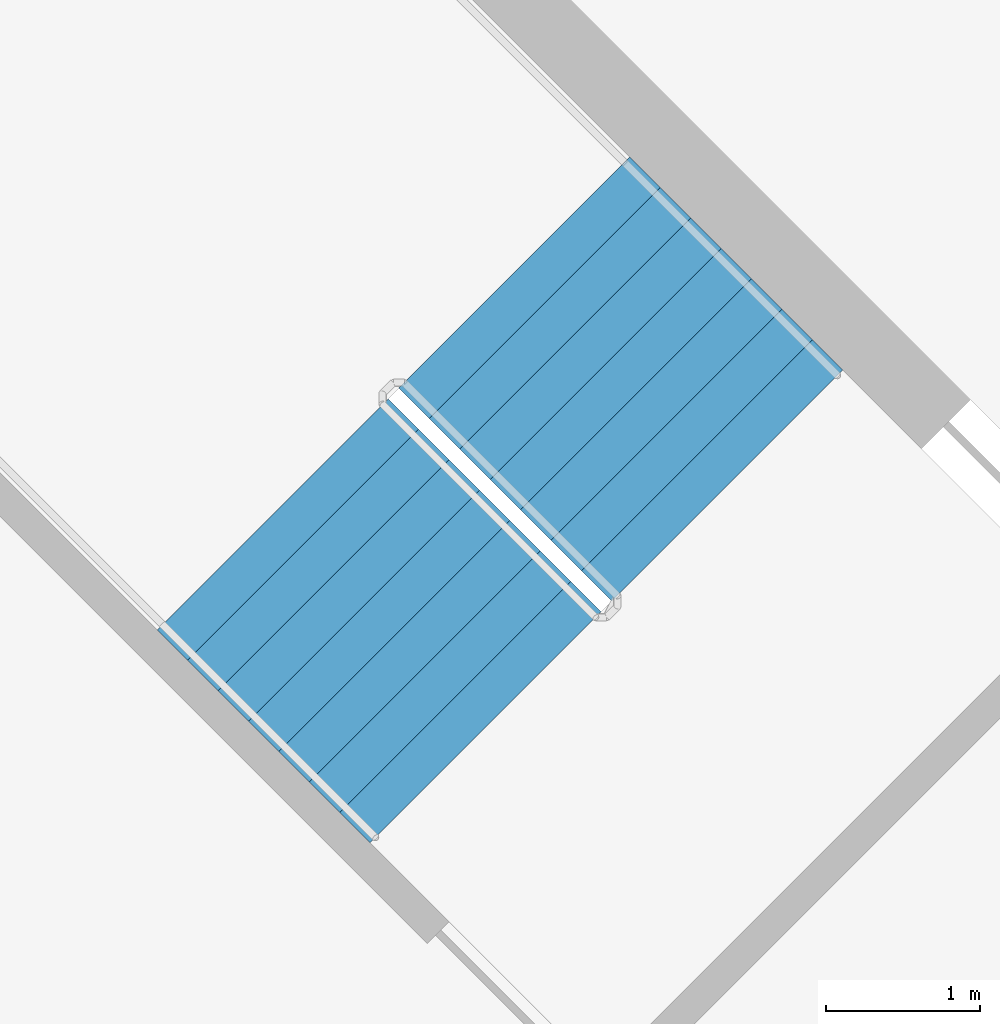
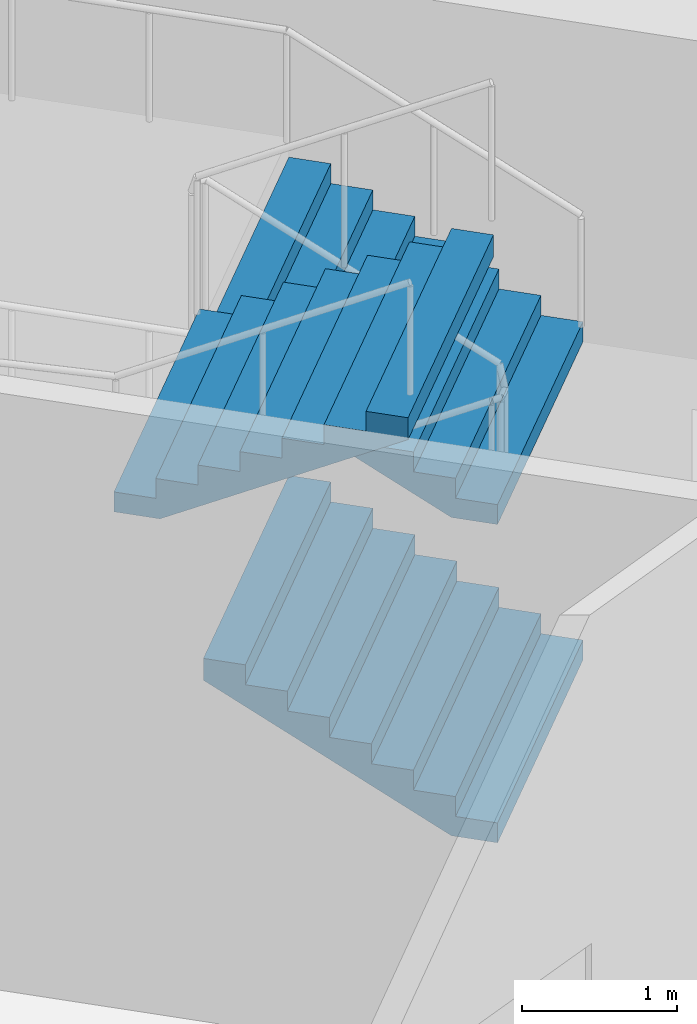
# One storey, part 19 of 21: 3 stair flights, 1 element without a shape of its own.
"""IFC4 building model written with IfcOpenShell, lengths in metres."""

from ifc_helpers import new_model, si_unit, direction, frame, origin, place, context, subcontext, project, spatial, triangles, material, type_object, element, aggregate, save


model = new_model("IFC4")

# Units and contexts
model_context = context("Model", 3, precision=1e-05, world=origin(), true_north=direction((0.0, 1.0)))
body_context = subcontext(model_context, "Body", "Model", "MODEL_VIEW")
ifc_project = project(units=[si_unit("LENGTHUNIT", "METRE"), si_unit("AREAUNIT", "SQUARE_METRE"), si_unit("VOLUMEUNIT", "CUBIC_METRE"), si_unit("PLANEANGLEUNIT", "RADIAN"), si_unit("MASSUNIT", "GRAM", prefix="KILO")], contexts=[model_context])

# Site, building, storey
site_placement = place(None, origin())
site = spatial("IfcSite", under=ifc_project, at=site_placement, CompositionType="ELEMENT")
building_placement = place(site_placement, origin())
building = spatial("IfcBuilding", under=site, at=building_placement, Name="Verdalira Terraces Hotel", CompositionType="ELEMENT")
storey_placement = place(building_placement, frame((0.0, 0.0, 269.0)))
storey = spatial("IfcBuildingStorey", under=building, at=storey_placement, Name="L66", CompositionType="ELEMENT", Elevation=269.0)

# Stair, stair flights
ifc_material_1 = material(Name="Concrete C40", Category="concrete")
stair_type = type_object("IfcStairType", Name="Core stair 32 risers 2125 mm wide", PredefinedType="HALF_TURN_STAIR", material=ifc_material_1)
stair_placement = place(storey_placement, origin())
stair = element("IfcStair", 1, at=stair_placement, inside=storey, type_object=stair_type, Name="L66 Exit stair ST1", PredefinedType="HALF_TURN_STAIR")
ifc_material_2 = material(Name="Concrete C40", Category="concrete")
stair_flight_type = type_object("IfcStairFlightType", Name="Core stair flight 32 risers 2125 mm wide", PredefinedType="STRAIGHT", material=ifc_material_2)
stair_flight_1_placement = place(storey_placement, frame((10.085205, 7.574951, 0.0), z_axis=(0.0, 0.0, 1.0), x_axis=(-0.707106781, 0.707106781, 0.0)))
stair_flight_1 = element("IfcStairFlight", 2, at=stair_flight_1_placement, type_object=stair_flight_type, Name="ST1 flight 1", NumberOfRisers=8, NumberOfTreads=7, PredefinedType="STRAIGHT", RiserHeight=0.15625, TreadLength=0.28, context=body_context, shape_type="Tessellation", body=[
    triangles([(0.0, 1.0625, 0.0), (0.307617, 1.0625, 0.0), (1.959961, 1.0625, 0.922119), (0.0, -1.0625, 0.0), (0.307617, -1.0625, 0.0), (1.959961, -1.0625, 0.922119), (1.959961, 1.0625, 1.09375), (1.679932, 1.0625, 1.09375), (1.959961, -1.0625, 1.09375), (1.679932, -1.0625, 1.09375), (1.679932, 1.0625, 0.9375), (1.679932, -1.0625, 0.9375), (1.399902, 1.0625, 0.9375), (1.399902, -1.0625, 0.9375), (1.399902, 1.0625, 0.78125), (1.399902, -1.0625, 0.78125), (1.120117, 1.0625, 0.78125), (1.120117, 1.0625, 0.625), (1.120117, -1.0625, 0.78125), (1.120117, -1.0625, 0.625), (0.840088, 1.0625, 0.625), (0.840088, 1.0625, 0.46875), (0.840088, -1.0625, 0.625), (0.840088, -1.0625, 0.46875), (0.560059, 1.0625, 0.46875), (0.560059, 1.0625, 0.3125), (0.560059, -1.0625, 0.46875), (0.560059, -1.0625, 0.3125), (0.280029, 1.0625, 0.3125), (0.280029, 1.0625, 0.15625), (0.280029, -1.0625, 0.3125), (0.280029, -1.0625, 0.15625), (0.0, 1.0625, 0.15625), (0.0, -1.0625, 0.15625), (0.0, -0.996094, 0.0), (0.0, -0.996094, 0.15625), (0.0, -0.929688, 0.0), (0.0, -0.929688, 0.15625), (0.0, -0.863281, 0.0), (0.0, -0.863281, 0.15625), (0.0, -0.796875, 0.0), (0.0, -0.796875, 0.15625), (0.0, -0.730469, 0.0), (0.0, -0.730469, 0.15625), (0.0, -0.664062, 0.0), (0.0, -0.664062, 0.15625), (0.0, -0.597656, 0.0), (0.0, -0.597656, 0.15625), (0.0, -0.53125, 0.0), (0.0, -0.53125, 0.15625), (0.0, -0.464844, 0.0), (0.0, -0.464844, 0.15625), (0.0, -0.398438, 0.0), (0.0, -0.398438, 0.15625), (0.0, -0.332031, 0.0), (0.0, -0.332031, 0.15625), (0.0, -0.265625, 0.0), (0.0, -0.265625, 0.15625), (0.0, -0.199219, 0.0), (0.0, -0.199219, 0.15625), (0.0, -0.132812, 0.0), (0.0, -0.132812, 0.15625), (0.0, -0.066406, 0.0), (0.0, -0.066406, 0.15625), (0.0, 0.0, 0.0), (0.0, 0.0, 0.15625), (0.0, 0.066406, 0.0), (0.0, 0.066406, 0.15625), (0.0, 0.132812, 0.0), (0.0, 0.132812, 0.15625), (0.0, 0.199219, 0.0), (0.0, 0.199219, 0.15625), (0.0, 0.265625, 0.0), (0.0, 0.265625, 0.15625), (0.0, 0.332031, 0.0), (0.0, 0.332031, 0.15625), (0.0, 0.398438, 0.0), (0.0, 0.398438, 0.15625), (0.0, 0.464844, 0.0), (0.0, 0.464844, 0.15625), (0.0, 0.53125, 0.0), (0.0, 0.53125, 0.15625), (0.0, 0.597656, 0.0), (0.0, 0.597656, 0.15625), (0.0, 0.664062, 0.0), (0.0, 0.664062, 0.15625), (0.0, 0.730469, 0.0), (0.0, 0.730469, 0.15625), (0.0, 0.796875, 0.0), (0.0, 0.796875, 0.15625), (0.0, 0.863281, 0.0), (0.0, 0.863281, 0.15625), (0.0, 0.929688, 0.0), (0.0, 0.929688, 0.15625), (0.0, 0.996094, 0.0), (0.0, 0.996094, 0.15625), (1.959961, -0.996094, 1.09375), (1.959961, -0.929688, 1.09375), (1.959961, -0.863281, 1.09375), (1.959961, -0.796875, 1.09375), (1.959961, -0.730469, 1.09375), (1.959961, -0.664062, 1.09375), (1.959961, -0.597656, 1.09375), (1.959961, -0.53125, 1.09375), (1.959961, -0.464844, 1.09375), (1.959961, -0.398438, 1.09375), (1.959961, -0.332031, 1.09375), (1.959961, -0.265625, 1.09375), (1.959961, -0.199219, 1.09375), (1.959961, -0.132812, 1.09375), (1.959961, -0.066406, 1.09375), (1.959961, 0.0, 1.09375), (1.959961, 0.066406, 1.09375), (1.959961, 0.132812, 1.09375), (1.959961, 0.199219, 1.09375), (1.959961, 0.265625, 1.09375), (1.959961, 0.332031, 1.09375), (1.959961, 0.398438, 1.09375), (1.959961, 0.464844, 1.09375), (1.959961, 0.53125, 1.09375), (1.959961, 0.597656, 1.09375), (1.959961, 0.664062, 1.09375), (1.959961, 0.730469, 1.09375), (1.959961, 0.796875, 1.09375), (1.959961, 0.863281, 1.09375), (1.959961, 0.929688, 1.09375), (1.959961, 0.996094, 1.09375), (1.959961, -0.996094, 0.922119), (1.959961, -0.929688, 0.922119), (1.959961, -0.863281, 0.922119), (1.959961, -0.796875, 0.922119), (1.959961, -0.730469, 0.922119), (1.959961, -0.664062, 0.922119), (1.959961, -0.597656, 0.922119), (1.959961, -0.53125, 0.922119), (1.959961, -0.464844, 0.922119), (1.959961, -0.398438, 0.922119), (1.959961, -0.332031, 0.922119), (1.959961, -0.265625, 0.922119), (1.959961, -0.199219, 0.922119), (1.959961, -0.132812, 0.922119), (1.959961, -0.066406, 0.922119), (1.959961, 0.0, 0.922119), (1.959961, 0.066406, 0.922119), (1.959961, 0.132812, 0.922119), (1.959961, 0.199219, 0.922119), (1.959961, 0.265625, 0.922119), (1.959961, 0.332031, 0.922119), (1.959961, 0.398438, 0.922119), (1.959961, 0.464844, 0.922119), (1.959961, 0.53125, 0.922119), (1.959961, 0.597656, 0.922119), (1.959961, 0.664062, 0.922119), (1.959961, 0.730469, 0.922119), (1.959961, 0.796875, 0.922119), (1.959961, 0.863281, 0.922119), (1.959961, 0.929688, 0.922119), (1.959961, 0.996094, 0.922119)], [[1, 3, 2], [4, 5, 6], [3, 8, 7], [6, 9, 10], [3, 11, 8], [6, 10, 12], [3, 13, 11], [6, 12, 14], [3, 15, 13], [6, 14, 16], [15, 18, 17], [16, 19, 20], [3, 18, 15], [6, 16, 20], [18, 22, 21], [20, 23, 24], [3, 22, 18], [6, 20, 24], [22, 26, 25], [24, 27, 28], [3, 26, 22], [6, 24, 28], [26, 30, 29], [28, 31, 32], [3, 30, 26], [6, 28, 32], [1, 30, 3], [4, 6, 32], [30, 1, 33], [32, 34, 4], [4, 36, 35], [4, 34, 36], [35, 38, 37], [35, 36, 38], [37, 40, 39], [37, 38, 40], [39, 42, 41], [39, 40, 42], [41, 44, 43], [41, 42, 44], [43, 46, 45], [43, 44, 46], [45, 48, 47], [45, 46, 48], [47, 50, 49], [47, 48, 50], [49, 52, 51], [49, 50, 52], [51, 54, 53], [51, 52, 54], [53, 56, 55], [53, 54, 56], [55, 58, 57], [55, 56, 58], [57, 60, 59], [57, 58, 60], [59, 62, 61], [59, 60, 62], [61, 64, 63], [61, 62, 64], [63, 66, 65], [63, 64, 66], [65, 68, 67], [65, 66, 68], [67, 70, 69], [67, 68, 70], [69, 72, 71], [69, 70, 72], [71, 74, 73], [71, 72, 74], [73, 76, 75], [73, 74, 76], [75, 78, 77], [75, 76, 78], [77, 80, 79], [77, 78, 80], [79, 82, 81], [79, 80, 82], [81, 84, 83], [81, 82, 84], [83, 86, 85], [83, 84, 86], [85, 88, 87], [85, 86, 88], [87, 90, 89], [87, 88, 90], [89, 92, 91], [89, 90, 92], [91, 94, 93], [91, 92, 94], [93, 96, 95], [93, 94, 96], [95, 33, 1], [95, 96, 33], [34, 32, 36], [36, 32, 38], [38, 32, 40], [40, 32, 42], [42, 32, 44], [44, 32, 46], [46, 32, 48], [48, 32, 50], [50, 32, 52], [52, 32, 54], [54, 32, 56], [56, 32, 58], [58, 32, 60], [60, 32, 62], [62, 32, 64], [64, 32, 66], [66, 32, 68], [68, 32, 70], [70, 32, 72], [72, 32, 74], [74, 32, 76], [76, 32, 78], [78, 32, 80], [80, 32, 82], [82, 32, 84], [84, 32, 86], [86, 32, 88], [88, 32, 90], [90, 32, 92], [92, 32, 94], [94, 32, 96], [96, 32, 33], [33, 32, 30], [32, 29, 30], [32, 31, 29], [31, 26, 29], [31, 28, 26], [28, 25, 26], [28, 27, 25], [27, 22, 25], [27, 24, 22], [24, 21, 22], [24, 23, 21], [23, 18, 21], [23, 20, 18], [20, 17, 18], [20, 19, 17], [19, 15, 17], [19, 16, 15], [16, 13, 15], [16, 14, 13], [14, 11, 13], [14, 12, 11], [12, 8, 11], [12, 10, 8], [9, 97, 10], [97, 98, 10], [98, 99, 10], [99, 100, 10], [100, 101, 10], [101, 102, 10], [102, 103, 10], [103, 104, 10], [104, 105, 10], [105, 106, 10], [106, 107, 10], [107, 108, 10], [108, 109, 10], [109, 110, 10], [110, 111, 10], [111, 112, 10], [112, 113, 10], [113, 114, 10], [114, 115, 10], [115, 116, 10], [116, 117, 10], [117, 118, 10], [118, 119, 10], [119, 120, 10], [120, 121, 10], [121, 122, 10], [122, 123, 10], [123, 124, 10], [124, 125, 10], [125, 126, 10], [126, 127, 10], [127, 7, 10], [7, 8, 10], [9, 128, 97], [9, 6, 128], [97, 129, 98], [97, 128, 129], [98, 130, 99], [98, 129, 130], [99, 131, 100], [99, 130, 131], [100, 132, 101], [100, 131, 132], [101, 133, 102], [101, 132, 133], [102, 134, 103], [102, 133, 134], [103, 135, 104], [103, 134, 135], [104, 136, 105], [104, 135, 136], [105, 137, 106], [105, 136, 137], [106, 138, 107], [106, 137, 138], [107, 139, 108], [107, 138, 139], [108, 140, 109], [108, 139, 140], [109, 141, 110], [109, 140, 141], [110, 142, 111], [110, 141, 142], [111, 143, 112], [111, 142, 143], [112, 144, 113], [112, 143, 144], [113, 145, 114], [113, 144, 145], [114, 146, 115], [114, 145, 146], [115, 147, 116], [115, 146, 147], [116, 148, 117], [116, 147, 148], [117, 149, 118], [117, 148, 149], [118, 150, 119], [118, 149, 150], [119, 151, 120], [119, 150, 151], [120, 152, 121], [120, 151, 152], [121, 153, 122], [121, 152, 153], [122, 154, 123], [122, 153, 154], [123, 155, 124], [123, 154, 155], [124, 156, 125], [124, 155, 156], [125, 157, 126], [125, 156, 157], [126, 158, 127], [126, 157, 158], [127, 3, 7], [127, 158, 3], [6, 5, 128], [128, 5, 129], [129, 5, 130], [130, 5, 131], [131, 5, 132], [132, 5, 133], [133, 5, 134], [134, 5, 135], [135, 5, 136], [136, 5, 137], [137, 5, 138], [138, 5, 139], [139, 5, 140], [140, 5, 141], [141, 5, 142], [142, 5, 143], [143, 5, 144], [144, 5, 145], [145, 5, 146], [146, 5, 147], [147, 5, 148], [148, 5, 149], [149, 5, 150], [150, 5, 151], [151, 5, 152], [152, 5, 153], [153, 5, 154], [154, 5, 155], [155, 5, 156], [156, 5, 157], [157, 5, 158], [158, 5, 3], [3, 5, 2], [4, 35, 5], [35, 37, 5], [37, 39, 5], [39, 41, 5], [41, 43, 5], [43, 45, 5], [45, 47, 5], [47, 49, 5], [49, 51, 5], [51, 53, 5], [53, 55, 5], [55, 57, 5], [57, 59, 5], [59, 61, 5], [61, 63, 5], [63, 65, 5], [65, 67, 5], [67, 69, 5], [69, 71, 5], [71, 73, 5], [73, 75, 5], [75, 77, 5], [77, 79, 5], [79, 81, 5], [81, 83, 5], [83, 85, 5], [85, 87, 5], [87, 89, 5], [89, 91, 5], [91, 93, 5], [93, 95, 5], [95, 1, 5], [1, 2, 5]], closed=True),
])
stair_flight_2_placement = place(storey_placement, frame((10.085205, 7.574951, 2.5), z_axis=(0.0, 0.0, 1.0), x_axis=(-0.707106781, 0.707106781, 0.0)))
stair_flight_2 = element("IfcStairFlight", 3, at=stair_flight_2_placement, type_object=stair_flight_type, Name="ST1 flight 3", NumberOfRisers=8, NumberOfTreads=7, PredefinedType="STRAIGHT", RiserHeight=0.15625, TreadLength=0.28, context=body_context, shape_type="Tessellation", body=[
    triangles([(0.0, 1.0625, 0.0), (0.307617, 1.0625, 0.0), (1.959961, 1.0625, 0.922119), (0.0, -1.0625, 0.0), (0.307617, -1.0625, 0.0), (1.959961, -1.0625, 0.922119), (1.959961, 1.0625, 1.09375), (1.679932, 1.0625, 1.09375), (1.959961, -1.0625, 1.09375), (1.679932, -1.0625, 1.09375), (1.679932, 1.0625, 0.9375), (1.679932, -1.0625, 0.9375), (1.399902, 1.0625, 0.9375), (1.399902, -1.0625, 0.9375), (1.399902, 1.0625, 0.78125), (1.399902, -1.0625, 0.78125), (1.120117, 1.0625, 0.78125), (1.120117, 1.0625, 0.625), (1.120117, -1.0625, 0.78125), (1.120117, -1.0625, 0.625), (0.840088, 1.0625, 0.625), (0.840088, 1.0625, 0.46875), (0.840088, -1.0625, 0.625), (0.840088, -1.0625, 0.46875), (0.560059, 1.0625, 0.46875), (0.560059, 1.0625, 0.3125), (0.560059, -1.0625, 0.46875), (0.560059, -1.0625, 0.3125), (0.280029, 1.0625, 0.3125), (0.280029, 1.0625, 0.15625), (0.280029, -1.0625, 0.3125), (0.280029, -1.0625, 0.15625), (0.0, 1.0625, 0.15625), (0.0, -1.0625, 0.15625), (0.0, -0.996094, 0.0), (0.0, -0.996094, 0.15625), (0.0, -0.929688, 0.0), (0.0, -0.929688, 0.15625), (0.0, -0.863281, 0.0), (0.0, -0.863281, 0.15625), (0.0, -0.796875, 0.0), (0.0, -0.796875, 0.15625), (0.0, -0.730469, 0.0), (0.0, -0.730469, 0.15625), (0.0, -0.664062, 0.0), (0.0, -0.664062, 0.15625), (0.0, -0.597656, 0.0), (0.0, -0.597656, 0.15625), (0.0, -0.53125, 0.0), (0.0, -0.53125, 0.15625), (0.0, -0.464844, 0.0), (0.0, -0.464844, 0.15625), (0.0, -0.398438, 0.0), (0.0, -0.398438, 0.15625), (0.0, -0.332031, 0.0), (0.0, -0.332031, 0.15625), (0.0, -0.265625, 0.0), (0.0, -0.265625, 0.15625), (0.0, -0.199219, 0.0), (0.0, -0.199219, 0.15625), (0.0, -0.132812, 0.0), (0.0, -0.132812, 0.15625), (0.0, -0.066406, 0.0), (0.0, -0.066406, 0.15625), (0.0, 0.0, 0.0), (0.0, 0.0, 0.15625), (0.0, 0.066406, 0.0), (0.0, 0.066406, 0.15625), (0.0, 0.132812, 0.0), (0.0, 0.132812, 0.15625), (0.0, 0.199219, 0.0), (0.0, 0.199219, 0.15625), (0.0, 0.265625, 0.0), (0.0, 0.265625, 0.15625), (0.0, 0.332031, 0.0), (0.0, 0.332031, 0.15625), (0.0, 0.398438, 0.0), (0.0, 0.398438, 0.15625), (0.0, 0.464844, 0.0), (0.0, 0.464844, 0.15625), (0.0, 0.53125, 0.0), (0.0, 0.53125, 0.15625), (0.0, 0.597656, 0.0), (0.0, 0.597656, 0.15625), (0.0, 0.664062, 0.0), (0.0, 0.664062, 0.15625), (0.0, 0.730469, 0.0), (0.0, 0.730469, 0.15625), (0.0, 0.796875, 0.0), (0.0, 0.796875, 0.15625), (0.0, 0.863281, 0.0), (0.0, 0.863281, 0.15625), (0.0, 0.929688, 0.0), (0.0, 0.929688, 0.15625), (0.0, 0.996094, 0.0), (0.0, 0.996094, 0.15625), (1.959961, -0.996094, 1.09375), (1.959961, -0.929688, 1.09375), (1.959961, -0.863281, 1.09375), (1.959961, -0.796875, 1.09375), (1.959961, -0.730469, 1.09375), (1.959961, -0.664062, 1.09375), (1.959961, -0.597656, 1.09375), (1.959961, -0.53125, 1.09375), (1.959961, -0.464844, 1.09375), (1.959961, -0.398438, 1.09375), (1.959961, -0.332031, 1.09375), (1.959961, -0.265625, 1.09375), (1.959961, -0.199219, 1.09375), (1.959961, -0.132812, 1.09375), (1.959961, -0.066406, 1.09375), (1.959961, 0.0, 1.09375), (1.959961, 0.066406, 1.09375), (1.959961, 0.132812, 1.09375), (1.959961, 0.199219, 1.09375), (1.959961, 0.265625, 1.09375), (1.959961, 0.332031, 1.09375), (1.959961, 0.398438, 1.09375), (1.959961, 0.464844, 1.09375), (1.959961, 0.53125, 1.09375), (1.959961, 0.597656, 1.09375), (1.959961, 0.664062, 1.09375), (1.959961, 0.730469, 1.09375), (1.959961, 0.796875, 1.09375), (1.959961, 0.863281, 1.09375), (1.959961, 0.929688, 1.09375), (1.959961, 0.996094, 1.09375), (1.959961, -0.996094, 0.922119), (1.959961, -0.929688, 0.922119), (1.959961, -0.863281, 0.922119), (1.959961, -0.796875, 0.922119), (1.959961, -0.730469, 0.922119), (1.959961, -0.664062, 0.922119), (1.959961, -0.597656, 0.922119), (1.959961, -0.53125, 0.922119), (1.959961, -0.464844, 0.922119), (1.959961, -0.398438, 0.922119), (1.959961, -0.332031, 0.922119), (1.959961, -0.265625, 0.922119), (1.959961, -0.199219, 0.922119), (1.959961, -0.132812, 0.922119), (1.959961, -0.066406, 0.922119), (1.959961, 0.0, 0.922119), (1.959961, 0.066406, 0.922119), (1.959961, 0.132812, 0.922119), (1.959961, 0.199219, 0.922119), (1.959961, 0.265625, 0.922119), (1.959961, 0.332031, 0.922119), (1.959961, 0.398438, 0.922119), (1.959961, 0.464844, 0.922119), (1.959961, 0.53125, 0.922119), (1.959961, 0.597656, 0.922119), (1.959961, 0.664062, 0.922119), (1.959961, 0.730469, 0.922119), (1.959961, 0.796875, 0.922119), (1.959961, 0.863281, 0.922119), (1.959961, 0.929688, 0.922119), (1.959961, 0.996094, 0.922119)], [[1, 3, 2], [4, 5, 6], [3, 8, 7], [6, 9, 10], [3, 11, 8], [6, 10, 12], [3, 13, 11], [6, 12, 14], [3, 15, 13], [6, 14, 16], [15, 18, 17], [16, 19, 20], [3, 18, 15], [6, 16, 20], [18, 22, 21], [20, 23, 24], [3, 22, 18], [6, 20, 24], [22, 26, 25], [24, 27, 28], [3, 26, 22], [6, 24, 28], [26, 30, 29], [28, 31, 32], [3, 30, 26], [6, 28, 32], [1, 30, 3], [4, 6, 32], [30, 1, 33], [32, 34, 4], [4, 36, 35], [4, 34, 36], [35, 38, 37], [35, 36, 38], [37, 40, 39], [37, 38, 40], [39, 42, 41], [39, 40, 42], [41, 44, 43], [41, 42, 44], [43, 46, 45], [43, 44, 46], [45, 48, 47], [45, 46, 48], [47, 50, 49], [47, 48, 50], [49, 52, 51], [49, 50, 52], [51, 54, 53], [51, 52, 54], [53, 56, 55], [53, 54, 56], [55, 58, 57], [55, 56, 58], [57, 60, 59], [57, 58, 60], [59, 62, 61], [59, 60, 62], [61, 64, 63], [61, 62, 64], [63, 66, 65], [63, 64, 66], [65, 68, 67], [65, 66, 68], [67, 70, 69], [67, 68, 70], [69, 72, 71], [69, 70, 72], [71, 74, 73], [71, 72, 74], [73, 76, 75], [73, 74, 76], [75, 78, 77], [75, 76, 78], [77, 80, 79], [77, 78, 80], [79, 82, 81], [79, 80, 82], [81, 84, 83], [81, 82, 84], [83, 86, 85], [83, 84, 86], [85, 88, 87], [85, 86, 88], [87, 90, 89], [87, 88, 90], [89, 92, 91], [89, 90, 92], [91, 94, 93], [91, 92, 94], [93, 96, 95], [93, 94, 96], [95, 33, 1], [95, 96, 33], [34, 32, 36], [36, 32, 38], [38, 32, 40], [40, 32, 42], [42, 32, 44], [44, 32, 46], [46, 32, 48], [48, 32, 50], [50, 32, 52], [52, 32, 54], [54, 32, 56], [56, 32, 58], [58, 32, 60], [60, 32, 62], [62, 32, 64], [64, 32, 66], [66, 32, 68], [68, 32, 70], [70, 32, 72], [72, 32, 74], [74, 32, 76], [76, 32, 78], [78, 32, 80], [80, 32, 82], [82, 32, 84], [84, 32, 86], [86, 32, 88], [88, 32, 90], [90, 32, 92], [92, 32, 94], [94, 32, 96], [96, 32, 33], [33, 32, 30], [32, 29, 30], [32, 31, 29], [31, 26, 29], [31, 28, 26], [28, 25, 26], [28, 27, 25], [27, 22, 25], [27, 24, 22], [24, 21, 22], [24, 23, 21], [23, 18, 21], [23, 20, 18], [20, 17, 18], [20, 19, 17], [19, 15, 17], [19, 16, 15], [16, 13, 15], [16, 14, 13], [14, 11, 13], [14, 12, 11], [12, 8, 11], [12, 10, 8], [9, 97, 10], [97, 98, 10], [98, 99, 10], [99, 100, 10], [100, 101, 10], [101, 102, 10], [102, 103, 10], [103, 104, 10], [104, 105, 10], [105, 106, 10], [106, 107, 10], [107, 108, 10], [108, 109, 10], [109, 110, 10], [110, 111, 10], [111, 112, 10], [112, 113, 10], [113, 114, 10], [114, 115, 10], [115, 116, 10], [116, 117, 10], [117, 118, 10], [118, 119, 10], [119, 120, 10], [120, 121, 10], [121, 122, 10], [122, 123, 10], [123, 124, 10], [124, 125, 10], [125, 126, 10], [126, 127, 10], [127, 7, 10], [7, 8, 10], [9, 128, 97], [9, 6, 128], [97, 129, 98], [97, 128, 129], [98, 130, 99], [98, 129, 130], [99, 131, 100], [99, 130, 131], [100, 132, 101], [100, 131, 132], [101, 133, 102], [101, 132, 133], [102, 134, 103], [102, 133, 134], [103, 135, 104], [103, 134, 135], [104, 136, 105], [104, 135, 136], [105, 137, 106], [105, 136, 137], [106, 138, 107], [106, 137, 138], [107, 139, 108], [107, 138, 139], [108, 140, 109], [108, 139, 140], [109, 141, 110], [109, 140, 141], [110, 142, 111], [110, 141, 142], [111, 143, 112], [111, 142, 143], [112, 144, 113], [112, 143, 144], [113, 145, 114], [113, 144, 145], [114, 146, 115], [114, 145, 146], [115, 147, 116], [115, 146, 147], [116, 148, 117], [116, 147, 148], [117, 149, 118], [117, 148, 149], [118, 150, 119], [118, 149, 150], [119, 151, 120], [119, 150, 151], [120, 152, 121], [120, 151, 152], [121, 153, 122], [121, 152, 153], [122, 154, 123], [122, 153, 154], [123, 155, 124], [123, 154, 155], [124, 156, 125], [124, 155, 156], [125, 157, 126], [125, 156, 157], [126, 158, 127], [126, 157, 158], [127, 3, 7], [127, 158, 3], [6, 5, 128], [128, 5, 129], [129, 5, 130], [130, 5, 131], [131, 5, 132], [132, 5, 133], [133, 5, 134], [134, 5, 135], [135, 5, 136], [136, 5, 137], [137, 5, 138], [138, 5, 139], [139, 5, 140], [140, 5, 141], [141, 5, 142], [142, 5, 143], [143, 5, 144], [144, 5, 145], [145, 5, 146], [146, 5, 147], [147, 5, 148], [148, 5, 149], [149, 5, 150], [150, 5, 151], [151, 5, 152], [152, 5, 153], [153, 5, 154], [154, 5, 155], [155, 5, 156], [156, 5, 157], [157, 5, 158], [158, 5, 3], [3, 5, 2], [4, 35, 5], [35, 37, 5], [37, 39, 5], [39, 41, 5], [41, 43, 5], [43, 45, 5], [45, 47, 5], [47, 49, 5], [49, 51, 5], [51, 53, 5], [53, 55, 5], [55, 57, 5], [57, 59, 5], [59, 61, 5], [61, 63, 5], [63, 65, 5], [65, 67, 5], [67, 69, 5], [69, 71, 5], [71, 73, 5], [73, 75, 5], [75, 77, 5], [77, 79, 5], [79, 81, 5], [81, 83, 5], [83, 85, 5], [85, 87, 5], [87, 89, 5], [89, 91, 5], [91, 93, 5], [93, 95, 5], [95, 1, 5], [1, 2, 5]], closed=True),
])
stair_flight_3_placement = place(storey_placement, frame((7.125977, 7.387451, 3.75), z_axis=(0.0, 0.0, 1.0), x_axis=(0.707106781, -0.707106781, 0.0)))
stair_flight_3 = element("IfcStairFlight", 4, at=stair_flight_3_placement, type_object=stair_flight_type, Name="ST1 flight 4", NumberOfRisers=8, NumberOfTreads=7, PredefinedType="STRAIGHT", RiserHeight=0.15625, TreadLength=0.28, context=body_context, shape_type="Tessellation", body=[
    triangles([(0.0, 1.0625, 0.0), (0.307617, 1.0625, 0.0), (1.959961, 1.0625, 0.922119), (0.0, -1.0625, 0.0), (0.307617, -1.0625, 0.0), (1.959961, -1.0625, 0.922119), (1.959961, 1.0625, 1.09375), (1.679932, 1.0625, 1.09375), (1.959961, -1.0625, 1.09375), (1.679932, -1.0625, 1.09375), (1.679932, 1.0625, 0.9375), (1.679932, -1.0625, 0.9375), (1.399902, 1.0625, 0.9375), (1.399902, -1.0625, 0.9375), (1.399902, 1.0625, 0.78125), (1.399902, -1.0625, 0.78125), (1.120117, 1.0625, 0.78125), (1.120117, 1.0625, 0.625), (1.120117, -1.0625, 0.78125), (1.120117, -1.0625, 0.625), (0.840088, 1.0625, 0.625), (0.840088, 1.0625, 0.46875), (0.840088, -1.0625, 0.625), (0.840088, -1.0625, 0.46875), (0.560059, 1.0625, 0.46875), (0.560059, 1.0625, 0.3125), (0.560059, -1.0625, 0.46875), (0.560059, -1.0625, 0.3125), (0.280029, 1.0625, 0.3125), (0.280029, 1.0625, 0.15625), (0.280029, -1.0625, 0.3125), (0.280029, -1.0625, 0.15625), (0.0, 1.0625, 0.15625), (0.0, -1.0625, 0.15625), (0.0, -0.996094, 0.0), (0.0, -0.996094, 0.15625), (0.0, -0.929688, 0.0), (0.0, -0.929688, 0.15625), (0.0, -0.863281, 0.0), (0.0, -0.863281, 0.15625), (0.0, -0.796875, 0.0), (0.0, -0.796875, 0.15625), (0.0, -0.730469, 0.0), (0.0, -0.730469, 0.15625), (0.0, -0.664062, 0.0), (0.0, -0.664062, 0.15625), (0.0, -0.597656, 0.0), (0.0, -0.597656, 0.15625), (0.0, -0.53125, 0.0), (0.0, -0.53125, 0.15625), (0.0, -0.464844, 0.0), (0.0, -0.464844, 0.15625), (0.0, -0.398438, 0.0), (0.0, -0.398438, 0.15625), (0.0, -0.332031, 0.0), (0.0, -0.332031, 0.15625), (0.0, -0.265625, 0.0), (0.0, -0.265625, 0.15625), (0.0, -0.199219, 0.0), (0.0, -0.199219, 0.15625), (0.0, -0.132812, 0.0), (0.0, -0.132812, 0.15625), (0.0, -0.066406, 0.0), (0.0, -0.066406, 0.15625), (0.0, 0.0, 0.0), (0.0, 0.0, 0.15625), (0.0, 0.066406, 0.0), (0.0, 0.066406, 0.15625), (0.0, 0.132812, 0.0), (0.0, 0.132812, 0.15625), (0.0, 0.199219, 0.0), (0.0, 0.199219, 0.15625), (0.0, 0.265625, 0.0), (0.0, 0.265625, 0.15625), (0.0, 0.332031, 0.0), (0.0, 0.332031, 0.15625), (0.0, 0.398438, 0.0), (0.0, 0.398438, 0.15625), (0.0, 0.464844, 0.0), (0.0, 0.464844, 0.15625), (0.0, 0.53125, 0.0), (0.0, 0.53125, 0.15625), (0.0, 0.597656, 0.0), (0.0, 0.597656, 0.15625), (0.0, 0.664062, 0.0), (0.0, 0.664062, 0.15625), (0.0, 0.730469, 0.0), (0.0, 0.730469, 0.15625), (0.0, 0.796875, 0.0), (0.0, 0.796875, 0.15625), (0.0, 0.863281, 0.0), (0.0, 0.863281, 0.15625), (0.0, 0.929688, 0.0), (0.0, 0.929688, 0.15625), (0.0, 0.996094, 0.0), (0.0, 0.996094, 0.15625), (1.959961, -0.996094, 1.09375), (1.959961, -0.929688, 1.09375), (1.959961, -0.863281, 1.09375), (1.959961, -0.796875, 1.09375), (1.959961, -0.730469, 1.09375), (1.959961, -0.664062, 1.09375), (1.959961, -0.597656, 1.09375), (1.959961, -0.53125, 1.09375), (1.959961, -0.464844, 1.09375), (1.959961, -0.398438, 1.09375), (1.959961, -0.332031, 1.09375), (1.959961, -0.265625, 1.09375), (1.959961, -0.199219, 1.09375), (1.959961, -0.132812, 1.09375), (1.959961, -0.066406, 1.09375), (1.959961, 0.0, 1.09375), (1.959961, 0.066406, 1.09375), (1.959961, 0.132812, 1.09375), (1.959961, 0.199219, 1.09375), (1.959961, 0.265625, 1.09375), (1.959961, 0.332031, 1.09375), (1.959961, 0.398438, 1.09375), (1.959961, 0.464844, 1.09375), (1.959961, 0.53125, 1.09375), (1.959961, 0.597656, 1.09375), (1.959961, 0.664062, 1.09375), (1.959961, 0.730469, 1.09375), (1.959961, 0.796875, 1.09375), (1.959961, 0.863281, 1.09375), (1.959961, 0.929688, 1.09375), (1.959961, 0.996094, 1.09375), (1.959961, -0.996094, 0.922119), (1.959961, -0.929688, 0.922119), (1.959961, -0.863281, 0.922119), (1.959961, -0.796875, 0.922119), (1.959961, -0.730469, 0.922119), (1.959961, -0.664062, 0.922119), (1.959961, -0.597656, 0.922119), (1.959961, -0.53125, 0.922119), (1.959961, -0.464844, 0.922119), (1.959961, -0.398438, 0.922119), (1.959961, -0.332031, 0.922119), (1.959961, -0.265625, 0.922119), (1.959961, -0.199219, 0.922119), (1.959961, -0.132812, 0.922119), (1.959961, -0.066406, 0.922119), (1.959961, 0.0, 0.922119), (1.959961, 0.066406, 0.922119), (1.959961, 0.132812, 0.922119), (1.959961, 0.199219, 0.922119), (1.959961, 0.265625, 0.922119), (1.959961, 0.332031, 0.922119), (1.959961, 0.398438, 0.922119), (1.959961, 0.464844, 0.922119), (1.959961, 0.53125, 0.922119), (1.959961, 0.597656, 0.922119), (1.959961, 0.664062, 0.922119), (1.959961, 0.730469, 0.922119), (1.959961, 0.796875, 0.922119), (1.959961, 0.863281, 0.922119), (1.959961, 0.929688, 0.922119), (1.959961, 0.996094, 0.922119)], [[1, 3, 2], [4, 5, 6], [3, 8, 7], [6, 9, 10], [3, 11, 8], [6, 10, 12], [3, 13, 11], [6, 12, 14], [3, 15, 13], [6, 14, 16], [15, 18, 17], [16, 19, 20], [3, 18, 15], [6, 16, 20], [18, 22, 21], [20, 23, 24], [3, 22, 18], [6, 20, 24], [22, 26, 25], [24, 27, 28], [3, 26, 22], [6, 24, 28], [26, 30, 29], [28, 31, 32], [3, 30, 26], [6, 28, 32], [1, 30, 3], [4, 6, 32], [30, 1, 33], [32, 34, 4], [4, 36, 35], [4, 34, 36], [35, 38, 37], [35, 36, 38], [37, 40, 39], [37, 38, 40], [39, 42, 41], [39, 40, 42], [41, 44, 43], [41, 42, 44], [43, 46, 45], [43, 44, 46], [45, 48, 47], [45, 46, 48], [47, 50, 49], [47, 48, 50], [49, 52, 51], [49, 50, 52], [51, 54, 53], [51, 52, 54], [53, 56, 55], [53, 54, 56], [55, 58, 57], [55, 56, 58], [57, 60, 59], [57, 58, 60], [59, 62, 61], [59, 60, 62], [61, 64, 63], [61, 62, 64], [63, 66, 65], [63, 64, 66], [65, 68, 67], [65, 66, 68], [67, 70, 69], [67, 68, 70], [69, 72, 71], [69, 70, 72], [71, 74, 73], [71, 72, 74], [73, 76, 75], [73, 74, 76], [75, 78, 77], [75, 76, 78], [77, 80, 79], [77, 78, 80], [79, 82, 81], [79, 80, 82], [81, 84, 83], [81, 82, 84], [83, 86, 85], [83, 84, 86], [85, 88, 87], [85, 86, 88], [87, 90, 89], [87, 88, 90], [89, 92, 91], [89, 90, 92], [91, 94, 93], [91, 92, 94], [93, 96, 95], [93, 94, 96], [95, 33, 1], [95, 96, 33], [34, 32, 36], [36, 32, 38], [38, 32, 40], [40, 32, 42], [42, 32, 44], [44, 32, 46], [46, 32, 48], [48, 32, 50], [50, 32, 52], [52, 32, 54], [54, 32, 56], [56, 32, 58], [58, 32, 60], [60, 32, 62], [62, 32, 64], [64, 32, 66], [66, 32, 68], [68, 32, 70], [70, 32, 72], [72, 32, 74], [74, 32, 76], [76, 32, 78], [78, 32, 80], [80, 32, 82], [82, 32, 84], [84, 32, 86], [86, 32, 88], [88, 32, 90], [90, 32, 92], [92, 32, 94], [94, 32, 96], [96, 32, 33], [33, 32, 30], [32, 29, 30], [32, 31, 29], [31, 26, 29], [31, 28, 26], [28, 25, 26], [28, 27, 25], [27, 22, 25], [27, 24, 22], [24, 21, 22], [24, 23, 21], [23, 18, 21], [23, 20, 18], [20, 17, 18], [20, 19, 17], [19, 15, 17], [19, 16, 15], [16, 13, 15], [16, 14, 13], [14, 11, 13], [14, 12, 11], [12, 8, 11], [12, 10, 8], [9, 97, 10], [97, 98, 10], [98, 99, 10], [99, 100, 10], [100, 101, 10], [101, 102, 10], [102, 103, 10], [103, 104, 10], [104, 105, 10], [105, 106, 10], [106, 107, 10], [107, 108, 10], [108, 109, 10], [109, 110, 10], [110, 111, 10], [111, 112, 10], [112, 113, 10], [113, 114, 10], [114, 115, 10], [115, 116, 10], [116, 117, 10], [117, 118, 10], [118, 119, 10], [119, 120, 10], [120, 121, 10], [121, 122, 10], [122, 123, 10], [123, 124, 10], [124, 125, 10], [125, 126, 10], [126, 127, 10], [127, 7, 10], [7, 8, 10], [9, 128, 97], [9, 6, 128], [97, 129, 98], [97, 128, 129], [98, 130, 99], [98, 129, 130], [99, 131, 100], [99, 130, 131], [100, 132, 101], [100, 131, 132], [101, 133, 102], [101, 132, 133], [102, 134, 103], [102, 133, 134], [103, 135, 104], [103, 134, 135], [104, 136, 105], [104, 135, 136], [105, 137, 106], [105, 136, 137], [106, 138, 107], [106, 137, 138], [107, 139, 108], [107, 138, 139], [108, 140, 109], [108, 139, 140], [109, 141, 110], [109, 140, 141], [110, 142, 111], [110, 141, 142], [111, 143, 112], [111, 142, 143], [112, 144, 113], [112, 143, 144], [113, 145, 114], [113, 144, 145], [114, 146, 115], [114, 145, 146], [115, 147, 116], [115, 146, 147], [116, 148, 117], [116, 147, 148], [117, 149, 118], [117, 148, 149], [118, 150, 119], [118, 149, 150], [119, 151, 120], [119, 150, 151], [120, 152, 121], [120, 151, 152], [121, 153, 122], [121, 152, 153], [122, 154, 123], [122, 153, 154], [123, 155, 124], [123, 154, 155], [124, 156, 125], [124, 155, 156], [125, 157, 126], [125, 156, 157], [126, 158, 127], [126, 157, 158], [127, 3, 7], [127, 158, 3], [6, 5, 128], [128, 5, 129], [129, 5, 130], [130, 5, 131], [131, 5, 132], [132, 5, 133], [133, 5, 134], [134, 5, 135], [135, 5, 136], [136, 5, 137], [137, 5, 138], [138, 5, 139], [139, 5, 140], [140, 5, 141], [141, 5, 142], [142, 5, 143], [143, 5, 144], [144, 5, 145], [145, 5, 146], [146, 5, 147], [147, 5, 148], [148, 5, 149], [149, 5, 150], [150, 5, 151], [151, 5, 152], [152, 5, 153], [153, 5, 154], [154, 5, 155], [155, 5, 156], [156, 5, 157], [157, 5, 158], [158, 5, 3], [3, 5, 2], [4, 35, 5], [35, 37, 5], [37, 39, 5], [39, 41, 5], [41, 43, 5], [43, 45, 5], [45, 47, 5], [47, 49, 5], [49, 51, 5], [51, 53, 5], [53, 55, 5], [55, 57, 5], [57, 59, 5], [59, 61, 5], [61, 63, 5], [63, 65, 5], [65, 67, 5], [67, 69, 5], [69, 71, 5], [71, 73, 5], [73, 75, 5], [75, 77, 5], [77, 79, 5], [79, 81, 5], [81, 83, 5], [83, 85, 5], [85, 87, 5], [87, 89, 5], [89, 91, 5], [91, 93, 5], [93, 95, 5], [95, 1, 5], [1, 2, 5]], closed=True),
])
aggregate(stair, [stair_flight_1, stair_flight_2, stair_flight_3])

save(model, "model.ifc")
